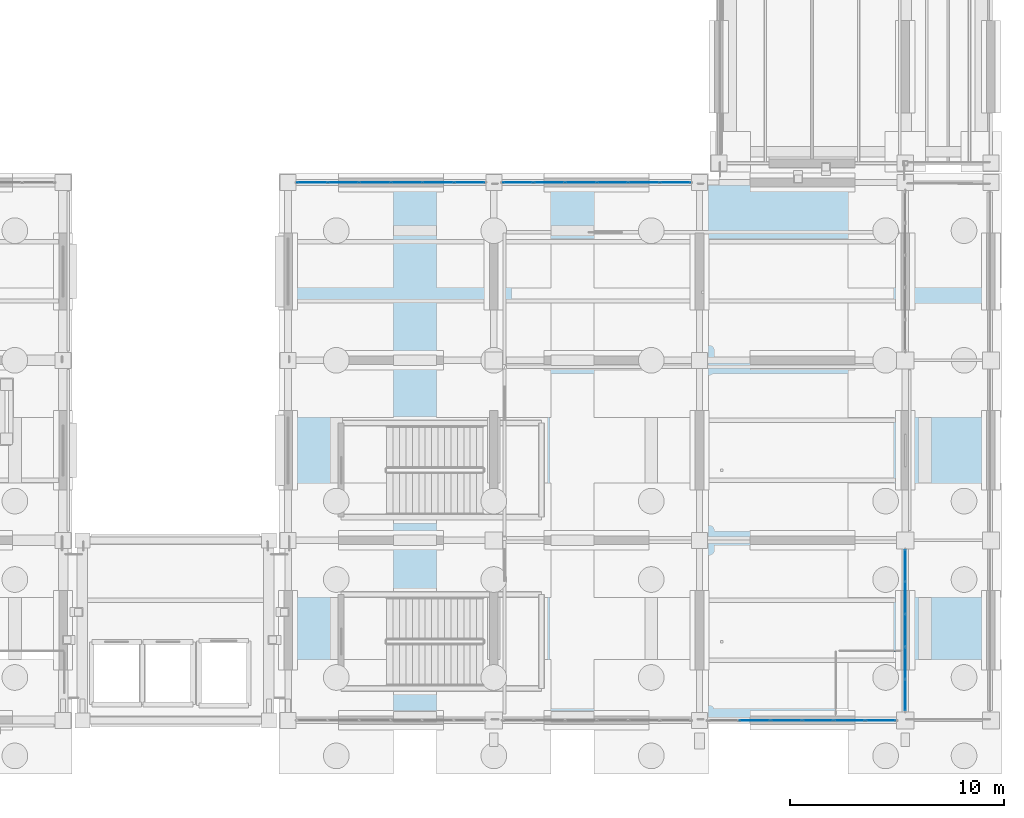
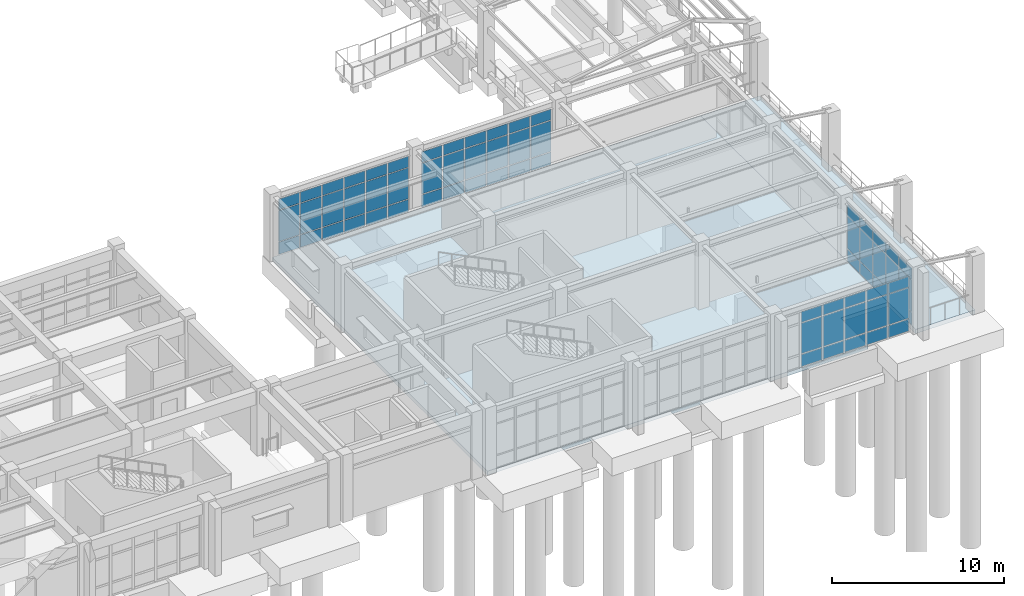
# One storey, part 78 of 111: 66 plates, 2 slabs, 4 elements without a shape of their own.
"""IFC4 building model written with IfcOpenShell, lengths in metres."""

from ifc_helpers import new_model, si_unit, direction, frame, origin, origin_2d, place, context, subcontext, project, spatial, polyline, rectangle, outline, extrude, material, layer, layer_set, type_object, element, aggregate, save


model = new_model("IFC4")

# Units and contexts
model_context = context("Model", 3, precision=1e-05, world=origin(), true_north=direction((0.0, 1.0)))
body_context = subcontext(model_context, "Body", "Model", "MODEL_VIEW")
ifc_project = project(units=[si_unit("LENGTHUNIT", "METRE"), si_unit("AREAUNIT", "SQUARE_METRE"), si_unit("VOLUMEUNIT", "CUBIC_METRE"), si_unit("PLANEANGLEUNIT", "RADIAN"), si_unit("MASSUNIT", "GRAM", prefix="KILO")], contexts=[model_context])

# Site, building, storey
site_placement = place(None, origin())
site = spatial("IfcSite", under=ifc_project, at=site_placement, CompositionType="ELEMENT")
building_placement = place(site_placement, origin())
building = spatial("IfcBuilding", under=site, at=building_placement, Name="Canglan Escarpment Cableway Terminal", CompositionType="ELEMENT")
storey_placement = place(building_placement, frame((0.0, 0.0, 4.800048828125)))
storey = spatial("IfcBuildingStorey", under=building, at=storey_placement, Name="L01", CompositionType="ELEMENT", Elevation=4.800048828125)

# Curtain wall, plates
ifc_material_1 = material(Name="Anodized bronze aluminium and Low-E double glazing", Category="aluminium")
curtain_wall_type_1 = type_object("IfcCurtainWallType", Name="CW-BAY-8825x4025", PredefinedType="NOTDEFINED", material=ifc_material_1)
curtain_wall_1_placement = place(storey_placement, origin())
curtain_wall_1 = element("IfcCurtainWall", 1, at=curtain_wall_1_placement, inside=storey, type_object=curtain_wall_type_1, Name="Classical bay-between-piers glazed curtain wall CW-22", PredefinedType="NOTDEFINED")
ifc_material_2 = material(Name="Double-silver Low-E laminated insulating glass", Category="glass")
ifc_layer_1 = layer(ifc_material_2, 0.02392578125, Name="Double-silver Low-E laminated insulating glass")
ifc_layer_set_1 = layer_set([ifc_layer_1], Name="Double-silver Low-E laminated insulating glass")
plate_type_1 = type_object("IfcPlateType", Name="CWP-01", PredefinedType="CURTAIN_PANEL", material=ifc_layer_set_1)
plate_1_placement = place(storey_placement, frame((168.981201171875, 8.0, 0.06494140625), z_axis=(0.0, 0.0, 1.0), x_axis=(1.0, 0.0, 0.0)))
plate_1 = element("IfcPlate", 2, at=plate_1_placement, type_object=plate_type_1, Name="CW-22 panel 2.1", PredefinedType="CURTAIN_PANEL", context=body_context, shape_type="SweptSolid", body=[
    extrude(rectangle(XDim=1.40576171875, YDim=0.02392578125, at=origin_2d()), origin(), (0.0, 0.0, 1.0), 0.8525390625),
])
plate_2_placement = place(storey_placement, frame((168.981201171875, 8.0, 0.982421875), z_axis=(0.0, 0.0, 1.0), x_axis=(1.0, 0.0, 0.0)))
plate_2 = element("IfcPlate", 3, at=plate_2_placement, type_object=plate_type_1, Name="CW-22 panel 2.2", PredefinedType="CURTAIN_PANEL", context=body_context, shape_type="SweptSolid", body=[
    extrude(rectangle(XDim=1.40576171875, YDim=0.02392578125, at=origin_2d()), origin(), (0.0, 0.0, 1.0), 2.162109375),
])
plate_3_placement = place(storey_placement, frame((168.981201171875, 8.0, 3.20947265625), z_axis=(0.0, 0.0, 1.0), x_axis=(1.0, 0.0, 0.0)))
plate_3 = element("IfcPlate", 4, at=plate_3_placement, type_object=plate_type_1, Name="CW-22 panel 2.3", PredefinedType="CURTAIN_PANEL", context=body_context, shape_type="SweptSolid", body=[
    extrude(rectangle(XDim=1.40576171875, YDim=0.02392578125, at=origin_2d()), origin(), (0.0, 0.0, 1.0), 0.75244140625),
])
plate_4_placement = place(storey_placement, frame((170.4521484375, 8.0, 0.06494140625), z_axis=(0.0, 0.0, 1.0), x_axis=(1.0, 0.0, 0.0)))
plate_4 = element("IfcPlate", 5, at=plate_4_placement, type_object=plate_type_1, Name="CW-22 panel 3.1", PredefinedType="CURTAIN_PANEL", context=body_context, shape_type="SweptSolid", body=[
    extrude(rectangle(XDim=1.40576171875, YDim=0.02392578125, at=origin_2d()), origin(), (0.0, 0.0, 1.0), 0.8525390625),
])
plate_5_placement = place(storey_placement, frame((170.4521484375, 8.0, 0.982421875), z_axis=(0.0, 0.0, 1.0), x_axis=(1.0, 0.0, 0.0)))
plate_5 = element("IfcPlate", 6, at=plate_5_placement, type_object=plate_type_1, Name="CW-22 panel 3.2", PredefinedType="CURTAIN_PANEL", context=body_context, shape_type="SweptSolid", body=[
    extrude(rectangle(XDim=1.40576171875, YDim=0.02392578125, at=origin_2d()), origin(), (0.0, 0.0, 1.0), 2.162109375),
])
plate_6_placement = place(storey_placement, frame((170.4521484375, 8.0, 3.20947265625), z_axis=(0.0, 0.0, 1.0), x_axis=(1.0, 0.0, 0.0)))
plate_6 = element("IfcPlate", 7, at=plate_6_placement, type_object=plate_type_1, Name="CW-22 panel 3.3", PredefinedType="CURTAIN_PANEL", context=body_context, shape_type="SweptSolid", body=[
    extrude(rectangle(XDim=1.40576171875, YDim=0.02392578125, at=origin_2d()), origin(), (0.0, 0.0, 1.0), 0.75244140625),
])
plate_7_placement = place(storey_placement, frame((171.9228515625, 8.0, 0.06494140625), z_axis=(0.0, 0.0, 1.0), x_axis=(1.0, 0.0, 0.0)))
plate_7 = element("IfcPlate", 8, at=plate_7_placement, type_object=plate_type_1, Name="CW-22 panel 4.1", PredefinedType="CURTAIN_PANEL", context=body_context, shape_type="SweptSolid", body=[
    extrude(rectangle(XDim=1.40576171875, YDim=0.02392578125, at=origin_2d()), origin(), (0.0, 0.0, 1.0), 0.8525390625),
])
plate_8_placement = place(storey_placement, frame((171.9228515625, 8.0, 0.982421875), z_axis=(0.0, 0.0, 1.0), x_axis=(1.0, 0.0, 0.0)))
plate_8 = element("IfcPlate", 9, at=plate_8_placement, type_object=plate_type_1, Name="CW-22 panel 4.2", PredefinedType="CURTAIN_PANEL", context=body_context, shape_type="SweptSolid", body=[
    extrude(rectangle(XDim=1.40576171875, YDim=0.02392578125, at=origin_2d()), origin(), (0.0, 0.0, 1.0), 2.162109375),
])
plate_9_placement = place(storey_placement, frame((171.9228515625, 8.0, 3.20947265625), z_axis=(0.0, 0.0, 1.0), x_axis=(1.0, 0.0, 0.0)))
plate_9 = element("IfcPlate", 10, at=plate_9_placement, type_object=plate_type_1, Name="CW-22 panel 4.3", PredefinedType="CURTAIN_PANEL", context=body_context, shape_type="SweptSolid", body=[
    extrude(rectangle(XDim=1.40576171875, YDim=0.02392578125, at=origin_2d()), origin(), (0.0, 0.0, 1.0), 0.75244140625),
])
plate_10_placement = place(storey_placement, frame((173.393798828125, 8.0, 0.06494140625), z_axis=(0.0, 0.0, 1.0), x_axis=(1.0, 0.0, 0.0)))
plate_10 = element("IfcPlate", 11, at=plate_10_placement, type_object=plate_type_1, Name="CW-22 panel 5.1", PredefinedType="CURTAIN_PANEL", context=body_context, shape_type="SweptSolid", body=[
    extrude(rectangle(XDim=1.40576171875, YDim=0.02392578125, at=origin_2d()), origin(), (0.0, 0.0, 1.0), 0.8525390625),
])
plate_11_placement = place(storey_placement, frame((173.393798828125, 8.0, 0.982421875), z_axis=(0.0, 0.0, 1.0), x_axis=(1.0, 0.0, 0.0)))
plate_11 = element("IfcPlate", 12, at=plate_11_placement, type_object=plate_type_1, Name="CW-22 panel 5.2", PredefinedType="CURTAIN_PANEL", context=body_context, shape_type="SweptSolid", body=[
    extrude(rectangle(XDim=1.40576171875, YDim=0.02392578125, at=origin_2d()), origin(), (0.0, 0.0, 1.0), 2.162109375),
])
plate_12_placement = place(storey_placement, frame((173.393798828125, 8.0, 3.20947265625), z_axis=(0.0, 0.0, 1.0), x_axis=(1.0, 0.0, 0.0)))
plate_12 = element("IfcPlate", 13, at=plate_12_placement, type_object=plate_type_1, Name="CW-22 panel 5.3", PredefinedType="CURTAIN_PANEL", context=body_context, shape_type="SweptSolid", body=[
    extrude(rectangle(XDim=1.40576171875, YDim=0.02392578125, at=origin_2d()), origin(), (0.0, 0.0, 1.0), 0.75244140625),
])
plate_13_placement = place(storey_placement, frame((174.848388671875, 8.0, 0.06494140625), z_axis=(0.0, 0.0, 1.0), x_axis=(1.0, 0.0, 0.0)))
plate_13 = element("IfcPlate", 14, at=plate_13_placement, type_object=plate_type_1, Name="CW-22 panel 6.1", PredefinedType="CURTAIN_PANEL", context=body_context, shape_type="SweptSolid", body=[
    extrude(rectangle(XDim=1.373291015625, YDim=0.02392578125, at=origin_2d()), origin(), (0.0, 0.0, 1.0), 0.8525390625),
])
plate_14_placement = place(storey_placement, frame((174.848388671875, 8.0, 0.982421875), z_axis=(0.0, 0.0, 1.0), x_axis=(1.0, 0.0, 0.0)))
plate_14 = element("IfcPlate", 15, at=plate_14_placement, type_object=plate_type_1, Name="CW-22 panel 6.2", PredefinedType="CURTAIN_PANEL", context=body_context, shape_type="SweptSolid", body=[
    extrude(rectangle(XDim=1.373291015625, YDim=0.02392578125, at=origin_2d()), origin(), (0.0, 0.0, 1.0), 2.162109375),
])
plate_15_placement = place(storey_placement, frame((174.848388671875, 8.0, 3.20947265625), z_axis=(0.0, 0.0, 1.0), x_axis=(1.0, 0.0, 0.0)))
plate_15 = element("IfcPlate", 16, at=plate_15_placement, type_object=plate_type_1, Name="CW-22 panel 6.3", PredefinedType="CURTAIN_PANEL", context=body_context, shape_type="SweptSolid", body=[
    extrude(rectangle(XDim=1.373291015625, YDim=0.02392578125, at=origin_2d()), origin(), (0.0, 0.0, 1.0), 0.75244140625),
])
aggregate(curtain_wall_1, [plate_1, plate_2, plate_3, plate_4, plate_5, plate_6, plate_7, plate_8, plate_9, plate_10, plate_11, plate_12, plate_13, plate_14, plate_15])

curtain_wall_type_2 = type_object("IfcCurtainWallType", Name="CW-BAY-7600x4125", PredefinedType="NOTDEFINED", material=ifc_material_1)
curtain_wall_2_placement = place(storey_placement, origin())
curtain_wall_2 = element("IfcCurtainWall", 17, at=curtain_wall_2_placement, inside=storey, type_object=curtain_wall_type_2, Name="Classical bay-between-piers glazed curtain wall CW-23", PredefinedType="NOTDEFINED")
ifc_layer_2 = layer(ifc_material_2, 0.031982421875, Name="Double-silver Low-E laminated insulating glass")
ifc_layer_set_2 = layer_set([ifc_layer_2], Name="Double-silver Low-E laminated insulating glass")
plate_type_2 = type_object("IfcPlateType", Name="CWP-03", PredefinedType="CURTAIN_PANEL", material=ifc_layer_set_2)
plate_16_placement = place(storey_placement, frame((176.0, 9.175048828125, 0.05517578125), z_axis=(0.0, 0.0, 1.0), x_axis=(0.0, 1.0, 0.0)))
plate_16 = element("IfcPlate", 18, at=plate_16_placement, type_object=plate_type_2, Name="CW-23 panel 1.1", PredefinedType="CURTAIN_PANEL", context=body_context, shape_type="SweptSolid", body=[
    extrude(rectangle(XDim=1.429931640625, YDim=0.031982421875, at=origin_2d()), origin(), (0.0, 0.0, 1.0), 0.867431640625),
])
plate_17_placement = place(storey_placement, frame((176.0, 9.175048828125, 0.9775390625), z_axis=(0.0, 0.0, 1.0), x_axis=(0.0, 1.0, 0.0)))
plate_17 = element("IfcPlate", 19, at=plate_17_placement, type_object=plate_type_2, Name="CW-23 panel 1.2", PredefinedType="CURTAIN_PANEL", context=body_context, shape_type="SweptSolid", body=[
    extrude(rectangle(XDim=1.429931640625, YDim=0.031982421875, at=origin_2d()), origin(), (0.0, 0.0, 1.0), 2.27001953125),
])
plate_18_placement = place(storey_placement, frame((176.0, 9.175048828125, 3.302490234375), z_axis=(0.0, 0.0, 1.0), x_axis=(0.0, 1.0, 0.0)))
plate_18 = element("IfcPlate", 20, at=plate_18_placement, type_object=plate_type_2, Name="CW-23 panel 1.3", PredefinedType="CURTAIN_PANEL", context=body_context, shape_type="SweptSolid", body=[
    extrude(rectangle(XDim=1.429931640625, YDim=0.031982421875, at=origin_2d()), origin(), (0.0, 0.0, 1.0), 0.767578125),
])
plate_19_placement = place(storey_placement, frame((176.0, 10.679931640625, 0.05517578125), z_axis=(0.0, 0.0, 1.0), x_axis=(0.0, 1.0, 0.0)))
plate_19 = element("IfcPlate", 21, at=plate_19_placement, type_object=plate_type_2, Name="CW-23 panel 2.1", PredefinedType="CURTAIN_PANEL", context=body_context, shape_type="SweptSolid", body=[
    extrude(rectangle(XDim=1.4599609375, YDim=0.031982421875, at=origin_2d()), origin(), (0.0, 0.0, 1.0), 0.867431640625),
])
plate_20_placement = place(storey_placement, frame((176.0, 10.679931640625, 0.9775390625), z_axis=(0.0, 0.0, 1.0), x_axis=(0.0, 1.0, 0.0)))
plate_20 = element("IfcPlate", 22, at=plate_20_placement, type_object=plate_type_2, Name="CW-23 panel 2.2", PredefinedType="CURTAIN_PANEL", context=body_context, shape_type="SweptSolid", body=[
    extrude(rectangle(XDim=1.4599609375, YDim=0.031982421875, at=origin_2d()), origin(), (0.0, 0.0, 1.0), 2.27001953125),
])
plate_21_placement = place(storey_placement, frame((176.0, 10.679931640625, 3.302490234375), z_axis=(0.0, 0.0, 1.0), x_axis=(0.0, 1.0, 0.0)))
plate_21 = element("IfcPlate", 23, at=plate_21_placement, type_object=plate_type_2, Name="CW-23 panel 2.3", PredefinedType="CURTAIN_PANEL", context=body_context, shape_type="SweptSolid", body=[
    extrude(rectangle(XDim=1.4599609375, YDim=0.031982421875, at=origin_2d()), origin(), (0.0, 0.0, 1.0), 0.767578125),
])
plate_22_placement = place(storey_placement, frame((176.0, 12.199951171875, 0.05517578125), z_axis=(0.0, 0.0, 1.0), x_axis=(0.0, 1.0, 0.0)))
plate_22 = element("IfcPlate", 24, at=plate_22_placement, type_object=plate_type_2, Name="CW-23 panel 3.1", PredefinedType="CURTAIN_PANEL", context=body_context, shape_type="SweptSolid", body=[
    extrude(rectangle(XDim=1.4599609375, YDim=0.031982421875, at=origin_2d()), origin(), (0.0, 0.0, 1.0), 0.867431640625),
])
plate_23_placement = place(storey_placement, frame((176.0, 12.199951171875, 0.9775390625), z_axis=(0.0, 0.0, 1.0), x_axis=(0.0, 1.0, 0.0)))
plate_23 = element("IfcPlate", 25, at=plate_23_placement, type_object=plate_type_2, Name="CW-23 panel 3.2", PredefinedType="CURTAIN_PANEL", context=body_context, shape_type="SweptSolid", body=[
    extrude(rectangle(XDim=1.4599609375, YDim=0.031982421875, at=origin_2d()), origin(), (0.0, 0.0, 1.0), 2.27001953125),
])
plate_24_placement = place(storey_placement, frame((176.0, 12.199951171875, 3.302490234375), z_axis=(0.0, 0.0, 1.0), x_axis=(0.0, 1.0, 0.0)))
plate_24 = element("IfcPlate", 26, at=plate_24_placement, type_object=plate_type_2, Name="CW-23 panel 3.3", PredefinedType="CURTAIN_PANEL", context=body_context, shape_type="SweptSolid", body=[
    extrude(rectangle(XDim=1.4599609375, YDim=0.031982421875, at=origin_2d()), origin(), (0.0, 0.0, 1.0), 0.767578125),
])
plate_25_placement = place(storey_placement, frame((176.0, 13.719970703125, 0.05517578125), z_axis=(0.0, 0.0, 1.0), x_axis=(0.0, 1.0, 0.0)))
plate_25 = element("IfcPlate", 27, at=plate_25_placement, type_object=plate_type_2, Name="CW-23 panel 4.1", PredefinedType="CURTAIN_PANEL", context=body_context, shape_type="SweptSolid", body=[
    extrude(rectangle(XDim=1.4599609375, YDim=0.031982421875, at=origin_2d()), origin(), (0.0, 0.0, 1.0), 0.867431640625),
])
plate_26_placement = place(storey_placement, frame((176.0, 13.719970703125, 0.9775390625), z_axis=(0.0, 0.0, 1.0), x_axis=(0.0, 1.0, 0.0)))
plate_26 = element("IfcPlate", 28, at=plate_26_placement, type_object=plate_type_2, Name="CW-23 panel 4.2", PredefinedType="CURTAIN_PANEL", context=body_context, shape_type="SweptSolid", body=[
    extrude(rectangle(XDim=1.4599609375, YDim=0.031982421875, at=origin_2d()), origin(), (0.0, 0.0, 1.0), 2.27001953125),
])
plate_27_placement = place(storey_placement, frame((176.0, 13.719970703125, 3.302490234375), z_axis=(0.0, 0.0, 1.0), x_axis=(0.0, 1.0, 0.0)))
plate_27 = element("IfcPlate", 29, at=plate_27_placement, type_object=plate_type_2, Name="CW-23 panel 4.3", PredefinedType="CURTAIN_PANEL", context=body_context, shape_type="SweptSolid", body=[
    extrude(rectangle(XDim=1.4599609375, YDim=0.031982421875, at=origin_2d()), origin(), (0.0, 0.0, 1.0), 0.767578125),
])
plate_28_placement = place(storey_placement, frame((176.0, 15.22509765625, 0.05517578125), z_axis=(0.0, 0.0, 1.0), x_axis=(0.0, 1.0, 0.0)))
plate_28 = element("IfcPlate", 30, at=plate_28_placement, type_object=plate_type_2, Name="CW-23 panel 5.1", PredefinedType="CURTAIN_PANEL", context=body_context, shape_type="SweptSolid", body=[
    extrude(rectangle(XDim=1.429931640625, YDim=0.031982421875, at=origin_2d()), origin(), (0.0, 0.0, 1.0), 0.867431640625),
])
plate_29_placement = place(storey_placement, frame((176.0, 15.22509765625, 0.9775390625), z_axis=(0.0, 0.0, 1.0), x_axis=(0.0, 1.0, 0.0)))
plate_29 = element("IfcPlate", 31, at=plate_29_placement, type_object=plate_type_2, Name="CW-23 panel 5.2", PredefinedType="CURTAIN_PANEL", context=body_context, shape_type="SweptSolid", body=[
    extrude(rectangle(XDim=1.429931640625, YDim=0.031982421875, at=origin_2d()), origin(), (0.0, 0.0, 1.0), 2.27001953125),
])
plate_30_placement = place(storey_placement, frame((176.0, 15.22509765625, 3.302490234375), z_axis=(0.0, 0.0, 1.0), x_axis=(0.0, 1.0, 0.0)))
plate_30 = element("IfcPlate", 32, at=plate_30_placement, type_object=plate_type_2, Name="CW-23 panel 5.3", PredefinedType="CURTAIN_PANEL", context=body_context, shape_type="SweptSolid", body=[
    extrude(rectangle(XDim=1.429931640625, YDim=0.031982421875, at=origin_2d()), origin(), (0.0, 0.0, 1.0), 0.767578125),
])
aggregate(curtain_wall_2, [plate_16, plate_17, plate_18, plate_19, plate_20, plate_21, plate_22, plate_23, plate_24, plate_25, plate_26, plate_27, plate_28, plate_29, plate_30])

curtain_wall_type_3 = type_object("IfcCurtainWallType", Name="CW-BAY-8850x4050", PredefinedType="NOTDEFINED", material=ifc_material_1)
curtain_wall_3_placement = place(storey_placement, origin())
curtain_wall_3 = element("IfcCurtainWall", 33, at=curtain_wall_3_placement, inside=storey, type_object=curtain_wall_type_3, Name="Classical bay-between-piers glazed curtain wall CW-25", PredefinedType="NOTDEFINED")
plate_31_placement = place(storey_placement, frame((155.672607421875, 33.10009765625, 0.05517578125), z_axis=(0.0, 0.0, 1.0), x_axis=(-1.0, 0.0, 0.0)))
plate_31 = element("IfcPlate", 34, at=plate_31_placement, type_object=plate_type_2, Name="CW-25 panel 1.1", PredefinedType="CURTAIN_PANEL", context=body_context, shape_type="SweptSolid", body=[
    extrude(rectangle(XDim=1.385009765625, YDim=0.031982421875, at=origin_2d()), origin(), (0.0, 0.0, 1.0), 0.867431640625),
])
plate_32_placement = place(storey_placement, frame((155.672607421875, 33.10009765625, 0.9775390625), z_axis=(0.0, 0.0, 1.0), x_axis=(-1.0, 0.0, 0.0)))
plate_32 = element("IfcPlate", 35, at=plate_32_placement, type_object=plate_type_2, Name="CW-25 panel 1.2", PredefinedType="CURTAIN_PANEL", context=body_context, shape_type="SweptSolid", body=[
    extrude(rectangle(XDim=1.385009765625, YDim=0.031982421875, at=origin_2d()), origin(), (0.0, 0.0, 1.0), 2.19189453125),
])
plate_33_placement = place(storey_placement, frame((155.672607421875, 33.10009765625, 3.224365234375), z_axis=(0.0, 0.0, 1.0), x_axis=(-1.0, 0.0, 0.0)))
plate_33 = element("IfcPlate", 36, at=plate_33_placement, type_object=plate_type_2, Name="CW-25 panel 1.3", PredefinedType="CURTAIN_PANEL", context=body_context, shape_type="SweptSolid", body=[
    extrude(rectangle(XDim=1.385009765625, YDim=0.031982421875, at=origin_2d()), origin(), (0.0, 0.0, 1.0), 0.767578125),
])
plate_34_placement = place(storey_placement, frame((154.21240234375, 33.10009765625, 0.05517578125), z_axis=(0.0, 0.0, 1.0), x_axis=(-1.0, 0.0, 0.0)))
plate_34 = element("IfcPlate", 37, at=plate_34_placement, type_object=plate_type_2, Name="CW-25 panel 2.1", PredefinedType="CURTAIN_PANEL", context=body_context, shape_type="SweptSolid", body=[
    extrude(rectangle(XDim=1.4150390625, YDim=0.031982421875, at=origin_2d()), origin(), (0.0, 0.0, 1.0), 0.867431640625),
])
plate_35_placement = place(storey_placement, frame((154.21240234375, 33.10009765625, 0.9775390625), z_axis=(0.0, 0.0, 1.0), x_axis=(-1.0, 0.0, 0.0)))
plate_35 = element("IfcPlate", 38, at=plate_35_placement, type_object=plate_type_2, Name="CW-25 panel 2.2", PredefinedType="CURTAIN_PANEL", context=body_context, shape_type="SweptSolid", body=[
    extrude(rectangle(XDim=1.4150390625, YDim=0.031982421875, at=origin_2d()), origin(), (0.0, 0.0, 1.0), 2.19189453125),
])
plate_36_placement = place(storey_placement, frame((154.21240234375, 33.10009765625, 3.224365234375), z_axis=(0.0, 0.0, 1.0), x_axis=(-1.0, 0.0, 0.0)))
plate_36 = element("IfcPlate", 39, at=plate_36_placement, type_object=plate_type_2, Name="CW-25 panel 2.3", PredefinedType="CURTAIN_PANEL", context=body_context, shape_type="SweptSolid", body=[
    extrude(rectangle(XDim=1.4150390625, YDim=0.031982421875, at=origin_2d()), origin(), (0.0, 0.0, 1.0), 0.767578125),
])
plate_37_placement = place(storey_placement, frame((152.737548828125, 33.10009765625, 0.05517578125), z_axis=(0.0, 0.0, 1.0), x_axis=(-1.0, 0.0, 0.0)))
plate_37 = element("IfcPlate", 40, at=plate_37_placement, type_object=plate_type_2, Name="CW-25 panel 3.1", PredefinedType="CURTAIN_PANEL", context=body_context, shape_type="SweptSolid", body=[
    extrude(rectangle(XDim=1.4150390625, YDim=0.031982421875, at=origin_2d()), origin(), (0.0, 0.0, 1.0), 0.867431640625),
])
plate_38_placement = place(storey_placement, frame((152.737548828125, 33.10009765625, 0.9775390625), z_axis=(0.0, 0.0, 1.0), x_axis=(-1.0, 0.0, 0.0)))
plate_38 = element("IfcPlate", 41, at=plate_38_placement, type_object=plate_type_2, Name="CW-25 panel 3.2", PredefinedType="CURTAIN_PANEL", context=body_context, shape_type="SweptSolid", body=[
    extrude(rectangle(XDim=1.4150390625, YDim=0.031982421875, at=origin_2d()), origin(), (0.0, 0.0, 1.0), 2.19189453125),
])
plate_39_placement = place(storey_placement, frame((152.737548828125, 33.10009765625, 3.224365234375), z_axis=(0.0, 0.0, 1.0), x_axis=(-1.0, 0.0, 0.0)))
plate_39 = element("IfcPlate", 42, at=plate_39_placement, type_object=plate_type_2, Name="CW-25 panel 3.3", PredefinedType="CURTAIN_PANEL", context=body_context, shape_type="SweptSolid", body=[
    extrude(rectangle(XDim=1.4150390625, YDim=0.031982421875, at=origin_2d()), origin(), (0.0, 0.0, 1.0), 0.767578125),
])
plate_40_placement = place(storey_placement, frame((151.262451171875, 33.10009765625, 0.05517578125), z_axis=(0.0, 0.0, 1.0), x_axis=(-1.0, 0.0, 0.0)))
plate_40 = element("IfcPlate", 43, at=plate_40_placement, type_object=plate_type_2, Name="CW-25 panel 4.1", PredefinedType="CURTAIN_PANEL", context=body_context, shape_type="SweptSolid", body=[
    extrude(rectangle(XDim=1.4150390625, YDim=0.031982421875, at=origin_2d()), origin(), (0.0, 0.0, 1.0), 0.867431640625),
])
plate_41_placement = place(storey_placement, frame((151.262451171875, 33.10009765625, 0.9775390625), z_axis=(0.0, 0.0, 1.0), x_axis=(-1.0, 0.0, 0.0)))
plate_41 = element("IfcPlate", 44, at=plate_41_placement, type_object=plate_type_2, Name="CW-25 panel 4.2", PredefinedType="CURTAIN_PANEL", context=body_context, shape_type="SweptSolid", body=[
    extrude(rectangle(XDim=1.4150390625, YDim=0.031982421875, at=origin_2d()), origin(), (0.0, 0.0, 1.0), 2.19189453125),
])
plate_42_placement = place(storey_placement, frame((151.262451171875, 33.10009765625, 3.224365234375), z_axis=(0.0, 0.0, 1.0), x_axis=(-1.0, 0.0, 0.0)))
plate_42 = element("IfcPlate", 45, at=plate_42_placement, type_object=plate_type_2, Name="CW-25 panel 4.3", PredefinedType="CURTAIN_PANEL", context=body_context, shape_type="SweptSolid", body=[
    extrude(rectangle(XDim=1.4150390625, YDim=0.031982421875, at=origin_2d()), origin(), (0.0, 0.0, 1.0), 0.767578125),
])
plate_43_placement = place(storey_placement, frame((149.78759765625, 33.10009765625, 0.05517578125), z_axis=(0.0, 0.0, 1.0), x_axis=(-1.0, 0.0, 0.0)))
plate_43 = element("IfcPlate", 46, at=plate_43_placement, type_object=plate_type_2, Name="CW-25 panel 5.1", PredefinedType="CURTAIN_PANEL", context=body_context, shape_type="SweptSolid", body=[
    extrude(rectangle(XDim=1.4150390625, YDim=0.031982421875, at=origin_2d()), origin(), (0.0, 0.0, 1.0), 0.867431640625),
])
plate_44_placement = place(storey_placement, frame((149.78759765625, 33.10009765625, 0.9775390625), z_axis=(0.0, 0.0, 1.0), x_axis=(-1.0, 0.0, 0.0)))
plate_44 = element("IfcPlate", 47, at=plate_44_placement, type_object=plate_type_2, Name="CW-25 panel 5.2", PredefinedType="CURTAIN_PANEL", context=body_context, shape_type="SweptSolid", body=[
    extrude(rectangle(XDim=1.4150390625, YDim=0.031982421875, at=origin_2d()), origin(), (0.0, 0.0, 1.0), 2.19189453125),
])
plate_45_placement = place(storey_placement, frame((149.78759765625, 33.10009765625, 3.224365234375), z_axis=(0.0, 0.0, 1.0), x_axis=(-1.0, 0.0, 0.0)))
plate_45 = element("IfcPlate", 48, at=plate_45_placement, type_object=plate_type_2, Name="CW-25 panel 5.3", PredefinedType="CURTAIN_PANEL", context=body_context, shape_type="SweptSolid", body=[
    extrude(rectangle(XDim=1.4150390625, YDim=0.031982421875, at=origin_2d()), origin(), (0.0, 0.0, 1.0), 0.767578125),
])
plate_46_placement = place(storey_placement, frame((148.327392578125, 33.10009765625, 0.05517578125), z_axis=(0.0, 0.0, 1.0), x_axis=(-1.0, 0.0, 0.0)))
plate_46 = element("IfcPlate", 49, at=plate_46_placement, type_object=plate_type_2, Name="CW-25 panel 6.1", PredefinedType="CURTAIN_PANEL", context=body_context, shape_type="SweptSolid", body=[
    extrude(rectangle(XDim=1.385009765625, YDim=0.031982421875, at=origin_2d()), origin(), (0.0, 0.0, 1.0), 0.867431640625),
])
plate_47_placement = place(storey_placement, frame((148.327392578125, 33.10009765625, 0.9775390625), z_axis=(0.0, 0.0, 1.0), x_axis=(-1.0, 0.0, 0.0)))
plate_47 = element("IfcPlate", 50, at=plate_47_placement, type_object=plate_type_2, Name="CW-25 panel 6.2", PredefinedType="CURTAIN_PANEL", context=body_context, shape_type="SweptSolid", body=[
    extrude(rectangle(XDim=1.385009765625, YDim=0.031982421875, at=origin_2d()), origin(), (0.0, 0.0, 1.0), 2.19189453125),
])
plate_48_placement = place(storey_placement, frame((148.327392578125, 33.10009765625, 3.224365234375), z_axis=(0.0, 0.0, 1.0), x_axis=(-1.0, 0.0, 0.0)))
plate_48 = element("IfcPlate", 51, at=plate_48_placement, type_object=plate_type_2, Name="CW-25 panel 6.3", PredefinedType="CURTAIN_PANEL", context=body_context, shape_type="SweptSolid", body=[
    extrude(rectangle(XDim=1.385009765625, YDim=0.031982421875, at=origin_2d()), origin(), (0.0, 0.0, 1.0), 0.767578125),
])
aggregate(curtain_wall_3, [plate_31, plate_32, plate_33, plate_34, plate_35, plate_36, plate_37, plate_38, plate_39, plate_40, plate_41, plate_42, plate_43, plate_44, plate_45, plate_46, plate_47, plate_48])

curtain_wall_4_placement = place(storey_placement, origin())
curtain_wall_4 = element("IfcCurtainWall", 52, at=curtain_wall_4_placement, inside=storey, type_object=curtain_wall_type_3, Name="Classical bay-between-piers glazed curtain wall CW-25", PredefinedType="NOTDEFINED")
ifc_layer_3 = layer(ifc_material_2, 0.035888671875, Name="Double-silver Low-E laminated insulating glass")
ifc_layer_set_3 = layer_set([ifc_layer_3], Name="Double-silver Low-E laminated insulating glass")
plate_type_3 = type_object("IfcPlateType", Name="CWP-04", PredefinedType="CURTAIN_PANEL", material=ifc_layer_set_3)
plate_49_placement = place(storey_placement, frame((165.271240234375, 33.10009765625, 0.06005859375), z_axis=(0.0, 0.0, 1.0), x_axis=(-1.0, 0.0, 0.0)))
plate_49 = element("IfcPlate", 53, at=plate_49_placement, type_object=plate_type_3, Name="CW-25 panel 1.1", PredefinedType="CURTAIN_PANEL", context=body_context, shape_type="SweptSolid", body=[
    extrude(rectangle(XDim=1.37744140625, YDim=0.035888671875, at=origin_2d()), origin(), (0.0, 0.0, 1.0), 0.860107421875),
])
plate_50_placement = place(storey_placement, frame((165.271240234375, 33.10009765625, 0.97998046875), z_axis=(0.0, 0.0, 1.0), x_axis=(-1.0, 0.0, 0.0)))
plate_50 = element("IfcPlate", 54, at=plate_50_placement, type_object=plate_type_3, Name="CW-25 panel 1.2", PredefinedType="CURTAIN_PANEL", context=body_context, shape_type="SweptSolid", body=[
    extrude(rectangle(XDim=1.37744140625, YDim=0.035888671875, at=origin_2d()), origin(), (0.0, 0.0, 1.0), 2.18701171875),
])
plate_51_placement = place(storey_placement, frame((165.271240234375, 33.10009765625, 3.22705078125), z_axis=(0.0, 0.0, 1.0), x_axis=(-1.0, 0.0, 0.0)))
plate_51 = element("IfcPlate", 55, at=plate_51_placement, type_object=plate_type_3, Name="CW-25 panel 1.3", PredefinedType="CURTAIN_PANEL", context=body_context, shape_type="SweptSolid", body=[
    extrude(rectangle(XDim=1.37744140625, YDim=0.035888671875, at=origin_2d()), origin(), (0.0, 0.0, 1.0), 0.760009765625),
])
plate_52_placement = place(storey_placement, frame((163.8125, 33.10009765625, 0.06005859375), z_axis=(0.0, 0.0, 1.0), x_axis=(-1.0, 0.0, 0.0)))
plate_52 = element("IfcPlate", 56, at=plate_52_placement, type_object=plate_type_3, Name="CW-25 panel 2.1", PredefinedType="CURTAIN_PANEL", context=body_context, shape_type="SweptSolid", body=[
    extrude(rectangle(XDim=1.409912109375, YDim=0.035888671875, at=origin_2d()), origin(), (0.0, 0.0, 1.0), 0.860107421875),
])
plate_53_placement = place(storey_placement, frame((163.8125, 33.10009765625, 0.97998046875), z_axis=(0.0, 0.0, 1.0), x_axis=(-1.0, 0.0, 0.0)))
plate_53 = element("IfcPlate", 57, at=plate_53_placement, type_object=plate_type_3, Name="CW-25 panel 2.2", PredefinedType="CURTAIN_PANEL", context=body_context, shape_type="SweptSolid", body=[
    extrude(rectangle(XDim=1.409912109375, YDim=0.035888671875, at=origin_2d()), origin(), (0.0, 0.0, 1.0), 2.18701171875),
])
plate_54_placement = place(storey_placement, frame((163.8125, 33.10009765625, 3.22705078125), z_axis=(0.0, 0.0, 1.0), x_axis=(-1.0, 0.0, 0.0)))
plate_54 = element("IfcPlate", 58, at=plate_54_placement, type_object=plate_type_3, Name="CW-25 panel 2.3", PredefinedType="CURTAIN_PANEL", context=body_context, shape_type="SweptSolid", body=[
    extrude(rectangle(XDim=1.409912109375, YDim=0.035888671875, at=origin_2d()), origin(), (0.0, 0.0, 1.0), 0.760009765625),
])
plate_55_placement = place(storey_placement, frame((162.33740234375, 33.10009765625, 0.06005859375), z_axis=(0.0, 0.0, 1.0), x_axis=(-1.0, 0.0, 0.0)))
plate_55 = element("IfcPlate", 59, at=plate_55_placement, type_object=plate_type_3, Name="CW-25 panel 3.1", PredefinedType="CURTAIN_PANEL", context=body_context, shape_type="SweptSolid", body=[
    extrude(rectangle(XDim=1.409912109375, YDim=0.035888671875, at=origin_2d()), origin(), (0.0, 0.0, 1.0), 0.860107421875),
])
plate_56_placement = place(storey_placement, frame((162.33740234375, 33.10009765625, 0.97998046875), z_axis=(0.0, 0.0, 1.0), x_axis=(-1.0, 0.0, 0.0)))
plate_56 = element("IfcPlate", 60, at=plate_56_placement, type_object=plate_type_3, Name="CW-25 panel 3.2", PredefinedType="CURTAIN_PANEL", context=body_context, shape_type="SweptSolid", body=[
    extrude(rectangle(XDim=1.409912109375, YDim=0.035888671875, at=origin_2d()), origin(), (0.0, 0.0, 1.0), 2.18701171875),
])
plate_57_placement = place(storey_placement, frame((162.33740234375, 33.10009765625, 3.22705078125), z_axis=(0.0, 0.0, 1.0), x_axis=(-1.0, 0.0, 0.0)))
plate_57 = element("IfcPlate", 61, at=plate_57_placement, type_object=plate_type_3, Name="CW-25 panel 3.3", PredefinedType="CURTAIN_PANEL", context=body_context, shape_type="SweptSolid", body=[
    extrude(rectangle(XDim=1.409912109375, YDim=0.035888671875, at=origin_2d()), origin(), (0.0, 0.0, 1.0), 0.760009765625),
])
plate_58_placement = place(storey_placement, frame((160.862548828125, 33.10009765625, 0.06005859375), z_axis=(0.0, 0.0, 1.0), x_axis=(-1.0, 0.0, 0.0)))
plate_58 = element("IfcPlate", 62, at=plate_58_placement, type_object=plate_type_3, Name="CW-25 panel 4.1", PredefinedType="CURTAIN_PANEL", context=body_context, shape_type="SweptSolid", body=[
    extrude(rectangle(XDim=1.409912109375, YDim=0.035888671875, at=origin_2d()), origin(), (0.0, 0.0, 1.0), 0.860107421875),
])
plate_59_placement = place(storey_placement, frame((160.862548828125, 33.10009765625, 0.97998046875), z_axis=(0.0, 0.0, 1.0), x_axis=(-1.0, 0.0, 0.0)))
plate_59 = element("IfcPlate", 63, at=plate_59_placement, type_object=plate_type_3, Name="CW-25 panel 4.2", PredefinedType="CURTAIN_PANEL", context=body_context, shape_type="SweptSolid", body=[
    extrude(rectangle(XDim=1.409912109375, YDim=0.035888671875, at=origin_2d()), origin(), (0.0, 0.0, 1.0), 2.18701171875),
])
plate_60_placement = place(storey_placement, frame((160.862548828125, 33.10009765625, 3.22705078125), z_axis=(0.0, 0.0, 1.0), x_axis=(-1.0, 0.0, 0.0)))
plate_60 = element("IfcPlate", 64, at=plate_60_placement, type_object=plate_type_3, Name="CW-25 panel 4.3", PredefinedType="CURTAIN_PANEL", context=body_context, shape_type="SweptSolid", body=[
    extrude(rectangle(XDim=1.409912109375, YDim=0.035888671875, at=origin_2d()), origin(), (0.0, 0.0, 1.0), 0.760009765625),
])
plate_61_placement = place(storey_placement, frame((159.387451171875, 33.10009765625, 0.06005859375), z_axis=(0.0, 0.0, 1.0), x_axis=(-1.0, 0.0, 0.0)))
plate_61 = element("IfcPlate", 65, at=plate_61_placement, type_object=plate_type_3, Name="CW-25 panel 5.1", PredefinedType="CURTAIN_PANEL", context=body_context, shape_type="SweptSolid", body=[
    extrude(rectangle(XDim=1.409912109375, YDim=0.035888671875, at=origin_2d()), origin(), (0.0, 0.0, 1.0), 0.860107421875),
])
plate_62_placement = place(storey_placement, frame((159.387451171875, 33.10009765625, 0.97998046875), z_axis=(0.0, 0.0, 1.0), x_axis=(-1.0, 0.0, 0.0)))
plate_62 = element("IfcPlate", 66, at=plate_62_placement, type_object=plate_type_3, Name="CW-25 panel 5.2", PredefinedType="CURTAIN_PANEL", context=body_context, shape_type="SweptSolid", body=[
    extrude(rectangle(XDim=1.409912109375, YDim=0.035888671875, at=origin_2d()), origin(), (0.0, 0.0, 1.0), 2.18701171875),
])
plate_63_placement = place(storey_placement, frame((159.387451171875, 33.10009765625, 3.22705078125), z_axis=(0.0, 0.0, 1.0), x_axis=(-1.0, 0.0, 0.0)))
plate_63 = element("IfcPlate", 67, at=plate_63_placement, type_object=plate_type_3, Name="CW-25 panel 5.3", PredefinedType="CURTAIN_PANEL", context=body_context, shape_type="SweptSolid", body=[
    extrude(rectangle(XDim=1.409912109375, YDim=0.035888671875, at=origin_2d()), origin(), (0.0, 0.0, 1.0), 0.760009765625),
])
plate_64_placement = place(storey_placement, frame((157.9287109375, 33.10009765625, 0.06005859375), z_axis=(0.0, 0.0, 1.0), x_axis=(-1.0, 0.0, 0.0)))
plate_64 = element("IfcPlate", 68, at=plate_64_placement, type_object=plate_type_3, Name="CW-25 panel 6.1", PredefinedType="CURTAIN_PANEL", context=body_context, shape_type="SweptSolid", body=[
    extrude(rectangle(XDim=1.37744140625, YDim=0.035888671875, at=origin_2d()), origin(), (0.0, 0.0, 1.0), 0.860107421875),
])
plate_65_placement = place(storey_placement, frame((157.9287109375, 33.10009765625, 0.97998046875), z_axis=(0.0, 0.0, 1.0), x_axis=(-1.0, 0.0, 0.0)))
plate_65 = element("IfcPlate", 69, at=plate_65_placement, type_object=plate_type_3, Name="CW-25 panel 6.2", PredefinedType="CURTAIN_PANEL", context=body_context, shape_type="SweptSolid", body=[
    extrude(rectangle(XDim=1.37744140625, YDim=0.035888671875, at=origin_2d()), origin(), (0.0, 0.0, 1.0), 2.18701171875),
])
plate_66_placement = place(storey_placement, frame((157.9287109375, 33.10009765625, 3.22705078125), z_axis=(0.0, 0.0, 1.0), x_axis=(-1.0, 0.0, 0.0)))
plate_66 = element("IfcPlate", 70, at=plate_66_placement, type_object=plate_type_3, Name="CW-25 panel 6.3", PredefinedType="CURTAIN_PANEL", context=body_context, shape_type="SweptSolid", body=[
    extrude(rectangle(XDim=1.37744140625, YDim=0.035888671875, at=origin_2d()), origin(), (0.0, 0.0, 1.0), 0.760009765625),
])
aggregate(curtain_wall_4, [plate_49, plate_50, plate_51, plate_52, plate_53, plate_54, plate_55, plate_56, plate_57, plate_58, plate_59, plate_60, plate_61, plate_62, plate_63, plate_64, plate_65, plate_66])

# Slabs
ifc_material_3 = material(Name="Concrete C40", Category="concrete")
ifc_layer_4 = layer(ifc_material_3, 0.280029296875, Name="Concrete C40")
ifc_layer_set_4 = layer_set([ifc_layer_4], Name="Concrete C40")
slab_type_1 = type_object("IfcSlabType", Name="SLB-BASE-280", PredefinedType="BASESLAB", material=ifc_layer_set_4)
slab_1_placement = place(storey_placement, frame((0.0, 0.0, -0.280029296875)))
element("IfcSlab", 71, at=slab_1_placement, inside=storey, type_object=slab_type_1, Name="Reinforced concrete base slab SB-01", PredefinedType="BASESLAB", context=body_context, shape_type="SweptSolid", body=[
    extrude(outline(polyline([(147.199951171875, 8.0), (172.800048828125, 8.0), (172.800048828125, 11.199951171875), (176.0, 11.199951171875), (176.0, 33.10009765625), (147.199951171875, 33.10009765625), (147.199951171875, 8.0)])), origin(), (0.0, 0.0, 1.0), 0.280029296875),
])
ifc_layer_5 = layer(ifc_material_3, 0.300048828125, Name="Concrete C40")
ifc_layer_set_5 = layer_set([ifc_layer_5], Name="Concrete C40")
slab_type_2 = type_object("IfcSlabType", Name="SLB-BASE-300", PredefinedType="BASESLAB", material=ifc_layer_set_5)
slab_2_placement = place(storey_placement, frame((0.0, 0.0, -0.300048828125)))
element("IfcSlab", 72, at=slab_2_placement, inside=storey, type_object=slab_type_2, Name="Classical colonnade terrace slab SC-01S", PredefinedType="BASESLAB", context=body_context, shape_type="SweptSolid", body=[
    extrude(outline(polyline([(176.0, 8.0), (180.0, 8.0), (180.0, 33.10009765625), (176.0, 33.10009765625), (176.0, 8.0)])), origin(), (0.0, 0.0, 1.0), 0.300048828125),
])

save(model, "model.ifc")
